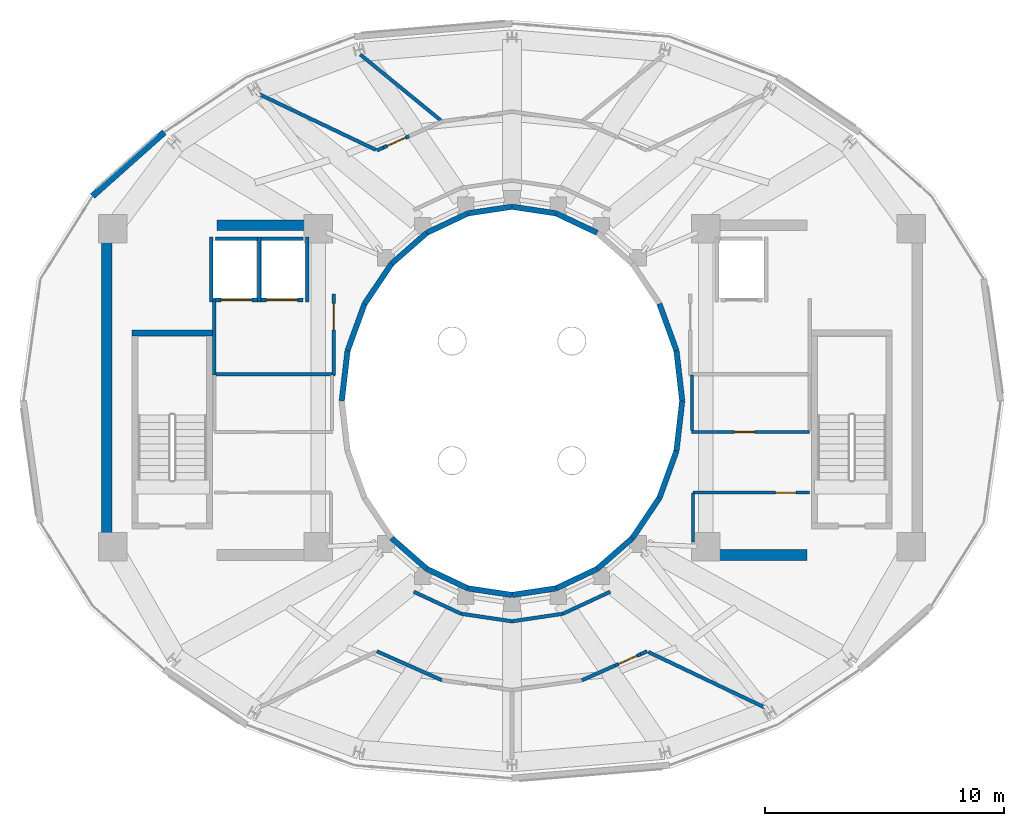
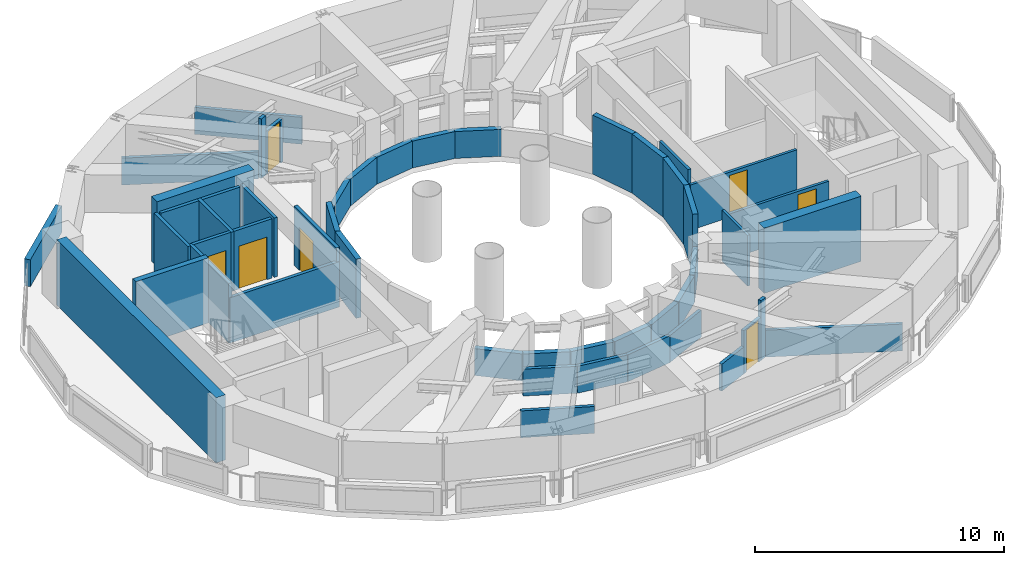
# One storey, part 13 of 17: 51 walls, 7 doors, 7 openings.
"""IFC4 building model written with IfcOpenShell, lengths in metres."""

from ifc_helpers import new_model, si_unit, direction, frame, frame_2d, origin, place, context, subcontext, project, spatial, rectangle, extrude, material, layer, layer_set, type_object, element, fill, save


model = new_model("IFC4")

# Units and contexts
model_context = context("Model", 3, precision=1e-05, world=origin(), true_north=direction((0.0, 1.0)))
body_context = subcontext(model_context, "Body", "Model", "MODEL_VIEW")
ifc_project = project(units=[si_unit("LENGTHUNIT", "METRE"), si_unit("AREAUNIT", "SQUARE_METRE"), si_unit("VOLUMEUNIT", "CUBIC_METRE"), si_unit("PLANEANGLEUNIT", "RADIAN"), si_unit("MASSUNIT", "GRAM", prefix="KILO")], contexts=[model_context])

# Site, building, storey
site_placement = place(None, origin())
site = spatial("IfcSite", under=ifc_project, at=site_placement, CompositionType="ELEMENT")
building_placement = place(site_placement, origin())
building = spatial("IfcBuilding", under=site, at=building_placement, Name="Solvane Sanctuary Tower", CompositionType="ELEMENT")
storey_placement = place(building_placement, frame((0.0, 0.0, 270.0)))
storey = spatial("IfcBuildingStorey", under=building, at=storey_placement, Name="L82", CompositionType="ELEMENT", Elevation=270.0)

# Walls
ifc_material_1 = material(Name="Concrete C50/60", Category="concrete")
ifc_layer_1 = layer(ifc_material_1, 0.449951171875, Name="Concrete C50/60")
ifc_layer_set_1 = layer_set([ifc_layer_1], Name="Concrete C50/60")
wall_type_1 = type_object("IfcWallType", Name="Wall W-CORE-450", PredefinedType="SHEAR", material=ifc_layer_set_1)
wall_1_placement = place(storey_placement, frame((15.050048828125, 17.050048828125, 0.0), z_axis=(0.0, 0.0, 1.0), x_axis=(0.0, 1.0, 0.0)))
element("IfcWall", 1, at=wall_1_placement, inside=storey, type_object=wall_type_1, Name="L82 Core Shear Wall WC-W", PredefinedType="SHEAR", context=body_context, shape_type="SweptSolid", body=[
    extrude(rectangle(XDim=12.800048828125, YDim=0.449951171875, at=frame_2d((6.39990234375, 0.0))), origin(), (0.0, 0.0, 1.0), 3.199951171875),
])
for number, where, z_axis, x_axis, name in (
    (2, (19.64990234375, 30.35009765625, 0.0), (0.0, 0.0, 1.0), (1.0, 0.0, 0.0), "L82 Core Shear Wall WC-N"),
    (3, (39.85009765625, 16.550048828125, 0.0), (0.0, 0.0, 1.0), (1.0, 0.0, 0.0), "L82 Core Shear Wall EC-S"),
):
    element("IfcWall", number, at=place(storey_placement, frame(where, z_axis=z_axis, x_axis=x_axis)), inside=storey, type_object=wall_type_1, Name=name, PredefinedType="SHEAR", context=body_context, shape_type="SweptSolid", body=[
        extrude(rectangle(XDim=4.5, YDim=0.449951171875, at=frame_2d((2.25, 0.0))), origin(), (0.0, 0.0, 1.0), 3.199951171875),
    ])
ifc_material_2 = material(Name="Acoustic Gypsum Partition Board")
ifc_layer_2 = layer(ifc_material_2, 0.14990234375, Name="Acoustic Gypsum Partition Board")
ifc_layer_set_2 = layer_set([ifc_layer_2], Name="Acoustic Gypsum Partition Board")
wall_type_2 = type_object("IfcWallType", Name="Wall W-CORR-150", PredefinedType="PARTITIONING", material=ifc_layer_set_2)
wall_2_placement = place(storey_placement, frame((19.52001953125, 24.1201171875, 0.0), z_axis=(0.0, 0.0, 1.0), x_axis=(1.0, 0.0, 0.0)))
element("IfcWall", 4, at=wall_2_placement, inside=storey, type_object=wall_type_2, Name="L82 West Firefighting Lobby South Wall", PredefinedType="PARTITIONING", context=body_context, shape_type="SweptSolid", body=[
    extrude(rectangle(XDim=5.080078125, YDim=0.14990234375, at=frame_2d((2.5400390625, 0.0))), origin(), (0.0, 0.0, 1.0), 2.219970703125),
])
wall_3_placement = place(storey_placement, frame((19.550048828125, 24.080078125, 0.0), z_axis=(0.0, 0.0, 1.0), x_axis=(0.0, 1.0, 0.0)))
element("IfcWall", 5, at=wall_3_placement, inside=storey, type_object=wall_type_2, Name="L82 West Firefighting Lobby West Wall", PredefinedType="PARTITIONING", context=body_context, shape_type="SweptSolid", body=[
    extrude(rectangle(XDim=3.199951171875, YDim=0.14990234375, at=frame_2d((1.60009765625, 0.0))), origin(), (0.0, 0.0, 1.0), 2.9150390625),
])

# Wall, opening, door
wall_4_placement = place(storey_placement, frame((24.550048828125, 24.080078125, 0.0), z_axis=(0.0, 0.0, 1.0), x_axis=(0.0, 1.0, 0.0)))
wall_4 = element("IfcWall", 6, at=wall_4_placement, inside=storey, type_object=wall_type_2, Name="L82 West Firefighting Lobby East Wall", PredefinedType="PARTITIONING", context=body_context, shape_type="SweptSolid", body=[
    extrude(rectangle(XDim=3.39990234375, YDim=0.14990234375, at=frame_2d((1.699951171875, 0.0))), origin(), (0.0, 0.0, 1.0), 2.9150390625),
])
opening_1_placement = place(wall_4_placement, frame((1.893798828125, 0.0, 0.0)))
opening_1 = element("IfcOpeningElement", 7, at=opening_1_placement, cuts=wall_4, Name="Opening D-L82-03", PredefinedType="OPENING", context=body_context, shape_type="SweptSolid", body=[
    extrude(rectangle(XDim=1.10009765625, YDim=2.10009765625, at=frame_2d((0.550048828125, 1.050048828125))), frame((0.0, 0.0849609375, 0.0), z_axis=(0.0, -1.0, 0.0), x_axis=(1.0, 0.0, 0.0)), (0.0, 0.0, 1.0), 0.169921875),
])
ifc_material_3 = material(Name="Architectural Stainless Steel 316", Category="steel")
door_type_1 = type_object("IfcDoorType", Name="Door D-FFL", OperationType="NOTDEFINED", PredefinedType="DOOR", material=ifc_material_3)
door_1_placement = place(opening_1_placement, origin())
door_1 = element("IfcDoor", 8, at=door_1_placement, inside=storey, type_object=door_type_1, Name="L82 West Firefighting Lobby Fire Door", OperationType="SINGLE_SWING_RIGHT", OverallHeight=2.10009765625, OverallWidth=1.10009765625, PredefinedType="DOOR", context=body_context, shape_type="SweptSolid", body=[
    extrude(rectangle(XDim=1.10009765625, YDim=2.10009765625, at=frame_2d((0.550048828125, 1.050048828125))), frame((0.0, 0.02490234375, 0.0), z_axis=(0.0, -1.0, 0.0), x_axis=(1.0, 0.0, 0.0)), (0.0, 0.0, 1.0), 0.050048828125),
])
fill(opening_1, door_1)

# Walls
wall_5_placement = place(storey_placement, frame((27.889892578125, 15.01513671875, 0.0), z_axis=(0.0, 0.0, 1.0), x_axis=(0.906943449489, -0.421252393975, 0.0)))
element("IfcWall", 9, at=wall_5_placement, inside=storey, type_object=wall_type_2, Name="L82 Light-Well Corridor Rim Wall S1", PredefinedType="PARTITIONING", context=body_context, shape_type="SweptSolid", body=[
    extrude(rectangle(XDim=2.18603515625, YDim=0.14990234375, at=frame_2d((1.093017578125, 0.0))), origin(), (0.0, 0.0, 1.0), 1.320068359375),
])
for number, where, z_axis, x_axis, name in (
    (10, (29.87255859375, 14.09423828125, 0.0), (0.0, 0.0, 1.0), (0.989268584896, -0.146108408166, 0.0), "L82 Light-Well Corridor Rim Wall S2"),
    (11, (32.0, 13.780029296875, 0.0), (0.0, 0.0, 1.0), (0.989268584896, 0.146108408166, 0.0), "L82 Light-Well Corridor Rim Wall S3"),
):
    element("IfcWall", number, at=place(storey_placement, frame(where, z_axis=z_axis, x_axis=x_axis)), inside=storey, type_object=wall_type_2, Name=name, PredefinedType="PARTITIONING", context=body_context, shape_type="SweptSolid", body=[
        extrude(rectangle(XDim=2.150634765625, YDim=0.14990234375, at=frame_2d((1.0751953125, 0.0))), origin(), (0.0, 0.0, 1.0), 1.320068359375),
    ])
wall_6_placement = place(storey_placement, frame((34.12744140625, 14.09423828125, 0.0), z_axis=(0.0, 0.0, 1.0), x_axis=(0.906943449489, 0.421252393975, 0.0)))
element("IfcWall", 12, at=wall_6_placement, inside=storey, type_object=wall_type_2, Name="L82 Light-Well Corridor Rim Wall S4", PredefinedType="PARTITIONING", context=body_context, shape_type="SweptSolid", body=[
    extrude(rectangle(XDim=2.18603515625, YDim=0.14990234375, at=frame_2d((1.093017578125, 0.0))), origin(), (0.0, 0.0, 1.0), 1.320068359375),
])
wall_7_placement = place(storey_placement, frame((29.03271484375, 34.722412109375, 0.0), z_axis=(0.0, 0.0, 1.0), x_axis=(-0.773855163252, 0.633362602549, 0.0)))
element("IfcWall", 13, at=wall_7_placement, inside=storey, type_object=wall_type_2, Name="L82 Mechanical Plant Radial Wall 105", PredefinedType="PARTITIONING", context=body_context, shape_type="SweptSolid", body=[
    extrude(rectangle(XDim=4.366943359375, YDim=0.14990234375, at=frame_2d((2.18359375, 0.0))), origin(), (0.0, 0.0, 1.0), 1.320068359375),
])
for number, where, z_axis, x_axis, name in (
    (14, (26.30029296875, 33.502685546875, 0.0), (0.0, 0.0, 1.0), (-0.902738701359, 0.430189303758, 0.0), "L82 Mechanical Plant Radial Wall 120"),
    (15, (37.69970703125, 12.497314453125, 0.0), (0.0, 0.0, 1.0), (0.902738701359, -0.430189303758, 0.0), "L82 Mechanical Plant Radial Wall 300"),
):
    element("IfcWall", number, at=place(storey_placement, frame(where, z_axis=z_axis, x_axis=x_axis)), inside=storey, type_object=wall_type_2, Name=name, PredefinedType="PARTITIONING", context=body_context, shape_type="SweptSolid", body=[
        extrude(rectangle(XDim=5.521484375, YDim=0.14990234375, at=frame_2d((2.7607421875, 0.0))), origin(), (0.0, 0.0, 1.0), 1.320068359375),
    ])

# Wall, opening, door
wall_8_placement = place(storey_placement, frame((27.693115234375, 34.073486328125, 0.0), z_axis=(0.0, 0.0, 1.0), x_axis=(-0.91409532601, -0.40549936494, 0.0)))
wall_8 = element("IfcWall", 16, at=wall_8_placement, inside=storey, type_object=wall_type_2, Name="L82 Plant Corridor Wall 3", PredefinedType="PARTITIONING", context=body_context, shape_type="SweptSolid", body=[
    extrude(rectangle(XDim=1.169921875, YDim=0.14990234375, at=frame_2d((0.5849609375, 0.0))), origin(), (0.0, 0.0, 1.0), 2.110107421875),
])
opening_2_placement = place(wall_8_placement, frame((0.159912109375, 0.0, 0.0)))
opening_2 = element("IfcOpeningElement", 17, at=opening_2_placement, cuts=wall_8, Name="Opening D-L82-11", PredefinedType="OPENING", context=body_context, shape_type="SweptSolid", body=[
    extrude(rectangle(XDim=0.85009765625, YDim=2.050048828125, at=frame_2d((0.425048828125, 1.02490234375))), frame((0.0, 0.0849609375, 0.0), z_axis=(0.0, -1.0, 0.0), x_axis=(1.0, 0.0, 0.0)), (0.0, 0.0, 1.0), 0.169921875),
])
door_type_2 = type_object("IfcDoorType", Name="Door D-RISER", OperationType="NOTDEFINED", PredefinedType="DOOR", material=ifc_material_3)
door_2_placement = place(opening_2_placement, origin())
door_2 = element("IfcDoor", 18, at=door_2_placement, inside=storey, type_object=door_type_2, Name="L82 Plant Room Door 3", OperationType="SINGLE_SWING_RIGHT", OverallHeight=2.050048828125, OverallWidth=0.85009765625, PredefinedType="DOOR", context=body_context, shape_type="SweptSolid", body=[
    extrude(rectangle(XDim=0.85009765625, YDim=2.050048828125, at=frame_2d((0.425048828125, 1.02490234375))), frame((0.0, 0.02490234375, 0.0), z_axis=(0.0, -1.0, 0.0), x_axis=(1.0, 0.0, 0.0)), (0.0, 0.0, 1.0), 0.050048828125),
])
fill(opening_2, door_2)

# Walls
wall_9_placement = place(storey_placement, frame((26.623779296875, 33.59912109375, 0.0), z_axis=(0.0, 0.0, 1.0), x_axis=(-0.914008261485, -0.405695572983, 0.0)))
element("IfcWall", 19, at=wall_9_placement, inside=storey, type_object=wall_type_2, Name="L82 Plant Corridor Wall 3", PredefinedType="PARTITIONING", context=body_context, shape_type="SweptSolid", body=[
    extrude(rectangle(XDim=0.306884765625, YDim=0.14990234375, at=frame_2d((0.1533203125, 0.0))), origin(), (0.0, 0.0, 1.0), 2.9150390625),
])
wall_10_placement = place(storey_placement, frame((26.34326171875, 12.525390625, 0.0), z_axis=(0.0, 0.0, 1.0), x_axis=(0.913989848226, -0.405737054432, 0.0)))
element("IfcWall", 20, at=wall_10_placement, inside=storey, type_object=wall_type_2, Name="L82 Plant Corridor Wall 4", PredefinedType="PARTITIONING", context=body_context, shape_type="SweptSolid", body=[
    extrude(rectangle(XDim=2.9912109375, YDim=0.14990234375, at=frame_2d((1.49560546875, 0.0))), origin(), (0.0, 0.0, 1.0), 1.320068359375),
])
wall_11_placement = place(storey_placement, frame((34.9228515625, 11.311767578125, 0.0), z_axis=(0.0, 0.0, 1.0), x_axis=(0.914037268574, 0.405630215416, 0.0)))
element("IfcWall", 21, at=wall_11_placement, inside=storey, type_object=wall_type_2, Name="L82 Plant Corridor Wall 5", PredefinedType="PARTITIONING", context=body_context, shape_type="SweptSolid", body=[
    extrude(rectangle(XDim=1.515625, YDim=0.14990234375, at=frame_2d((0.7578125, 0.0))), origin(), (0.0, 0.0, 1.0), 1.320068359375),
])

# Wall, opening, door
wall_12_placement = place(storey_placement, frame((36.30810546875, 11.926513671875, 0.0), z_axis=(0.0, 0.0, 1.0), x_axis=(0.913940571896, 0.405848039347, 0.0)))
wall_12 = element("IfcWall", 22, at=wall_12_placement, inside=storey, type_object=wall_type_2, Name="L82 Plant Corridor Wall 5", PredefinedType="PARTITIONING", context=body_context, shape_type="SweptSolid", body=[
    extrude(rectangle(XDim=1.169921875, YDim=0.14990234375, at=frame_2d((0.5849609375, 0.0))), origin(), (0.0, 0.0, 1.0), 2.110107421875),
])
opening_3_placement = place(wall_12_placement, frame((0.159912109375, 0.0, 0.0)))
opening_3 = element("IfcOpeningElement", 23, at=opening_3_placement, cuts=wall_12, Name="Opening D-L82-13", PredefinedType="OPENING", context=body_context, shape_type="SweptSolid", body=[
    extrude(rectangle(XDim=0.85009765625, YDim=2.050048828125, at=frame_2d((0.425048828125, 1.02490234375))), frame((0.0, 0.0849609375, 0.0), z_axis=(0.0, -1.0, 0.0), x_axis=(1.0, 0.0, 0.0)), (0.0, 0.0, 1.0), 0.169921875),
])
door_3_placement = place(opening_3_placement, origin())
door_3 = element("IfcDoor", 24, at=door_3_placement, inside=storey, type_object=door_type_2, Name="L82 Plant Room Door 5", OperationType="SINGLE_SWING_RIGHT", OverallHeight=2.050048828125, OverallWidth=0.85009765625, PredefinedType="DOOR", context=body_context, shape_type="SweptSolid", body=[
    extrude(rectangle(XDim=0.85009765625, YDim=2.050048828125, at=frame_2d((0.425048828125, 1.02490234375))), frame((0.0, 0.02490234375, 0.0), z_axis=(0.0, -1.0, 0.0), x_axis=(1.0, 0.0, 0.0)), (0.0, 0.0, 1.0), 0.050048828125),
])
fill(opening_3, door_3)

# Walls
wall_13_placement = place(storey_placement, frame((37.37744140625, 12.4013671875, 0.0), z_axis=(0.0, 0.0, 1.0), x_axis=(0.91394327808, 0.405841945161, 0.0)))
element("IfcWall", 25, at=wall_13_placement, inside=storey, type_object=wall_type_2, Name="L82 Plant Corridor Wall 5", PredefinedType="PARTITIONING", context=body_context, shape_type="SweptSolid", body=[
    extrude(rectangle(XDim=0.3056640625, YDim=0.14990234375, at=frame_2d((0.15283203125, 0.0))), origin(), (0.0, 0.0, 1.0), 2.9150390625),
])
ifc_material_4 = material(Name="Precast concrete C40/50", Category="concrete")
ifc_layer_3 = layer(ifc_material_4, 0.260009765625, Name="Precast concrete C40/50")
ifc_layer_set_3 = layer_set([ifc_layer_3], Name="Precast concrete C40/50")
wall_type_3 = type_object("IfcWallType", Name="Wall W-EXT-250", PredefinedType="STANDARD", material=ifc_layer_set_3)
wall_14_placement = place(storey_placement, frame((17.452880859375, 34.235595703125, 0.0), z_axis=(0.0, 0.0, 1.0), x_axis=(-0.747315206756, -0.664469699649, 0.0)))
element("IfcWall", 26, at=wall_14_placement, inside=storey, type_object=wall_type_3, Name="L82 Crown Acoustic Louvred Wall 09", PredefinedType="STANDARD", context=body_context, shape_type="SweptSolid", body=[
    extrude(rectangle(XDim=4.0078125, YDim=0.260009765625, at=frame_2d((2.00390625, 0.0))), origin(), (0.0, 0.0, 1.0), 1.320068359375),
])
ifc_layer_4 = layer(ifc_material_4, 0.22998046875, Name="Precast concrete C40/50")
ifc_layer_set_4 = layer_set([ifc_layer_4], Name="Precast concrete C40/50")
wall_type_4 = type_object("IfcWallType", Name="Wall W-EXT-SP220", PredefinedType="STANDARD", material=ifc_layer_set_4)
wall_15_placement = place(storey_placement, frame((39.1201171875, 23.0, 0.0), z_axis=(0.0, 0.0, 1.0), x_axis=(-0.114711713601, 0.993398823617, 0.0)))
element("IfcWall", 27, at=wall_15_placement, inside=storey, type_object=wall_type_4, Name="L82 Central Light-Well Wall 00", PredefinedType="STANDARD", context=body_context, shape_type="SweptSolid", body=[
    extrude(rectangle(XDim=2.115478515625, YDim=0.22998046875, at=frame_2d((1.0576171875, 0.0))), origin(), (0.0, 0.0, 1.0), 2.89990234375),
])
wall_16_placement = place(storey_placement, frame((38.87744140625, 25.1015625, 0.0), z_axis=(0.0, 0.0, 1.0), x_axis=(-0.341423187295, 0.93990968033, 0.0)))
element("IfcWall", 28, at=wall_16_placement, inside=storey, type_object=wall_type_4, Name="L82 Central Light-Well Wall 01", PredefinedType="STANDARD", context=body_context, shape_type="SweptSolid", body=[
    extrude(rectangle(XDim=2.083740234375, YDim=0.22998046875, at=frame_2d((1.0419921875, 0.0))), origin(), (0.0, 0.0, 1.0), 2.89990234375),
])
wall_17_placement = place(storey_placement, frame((35.56005859375, 30.031982421875, 0.0), z_axis=(0.0, 0.0, 1.0), x_axis=(-0.904179699603, 0.427152280606, 0.0)))
element("IfcWall", 29, at=wall_17_placement, inside=storey, type_object=wall_type_4, Name="L82 Central Light-Well Wall 04", PredefinedType="STANDARD", context=body_context, shape_type="SweptSolid", body=[
    extrude(rectangle(XDim=1.899169921875, YDim=0.22998046875, at=frame_2d((0.94970703125, 0.0))), origin(), (0.0, 0.0, 1.0), 1.320068359375),
])
for number, where, z_axis, x_axis, name in (
    (30, (33.8427734375, 30.84326171875, 0.0), (0.0, 0.0, 1.0), (-0.988901730308, 0.148571086668, 0.0), "L82 Central Light-Well Wall 05"),
    (31, (32.0, 31.1201171875, 0.0), (0.0, 0.0, 1.0), (-0.988901730308, -0.148571086668, 0.0), "L82 Central Light-Well Wall 06"),
):
    element("IfcWall", number, at=place(storey_placement, frame(where, z_axis=z_axis, x_axis=x_axis)), inside=storey, type_object=wall_type_4, Name=name, PredefinedType="STANDARD", context=body_context, shape_type="SweptSolid", body=[
        extrude(rectangle(XDim=1.863525390625, YDim=0.22998046875, at=frame_2d((0.931640625, 0.0))), origin(), (0.0, 0.0, 1.0), 1.320068359375),
    ])
wall_18_placement = place(storey_placement, frame((30.1572265625, 30.84326171875, 0.0), z_axis=(0.0, 0.0, 1.0), x_axis=(-0.904179699603, -0.427152280606, 0.0)))
element("IfcWall", 32, at=wall_18_placement, inside=storey, type_object=wall_type_4, Name="L82 Central Light-Well Wall 07", PredefinedType="STANDARD", context=body_context, shape_type="SweptSolid", body=[
    extrude(rectangle(XDim=1.899169921875, YDim=0.22998046875, at=frame_2d((0.94970703125, 0.0))), origin(), (0.0, 0.0, 1.0), 1.320068359375),
])
wall_19_placement = place(storey_placement, frame((28.43994140625, 30.031982421875, 0.0), z_axis=(0.0, 0.0, 1.0), x_axis=(-0.752576694707, -0.658504607869, 0.0)))
element("IfcWall", 33, at=wall_19_placement, inside=storey, type_object=wall_type_4, Name="L82 Central Light-Well Wall 08", PredefinedType="STANDARD", context=body_context, shape_type="SweptSolid", body=[
    extrude(rectangle(XDim=1.95947265625, YDim=0.22998046875, at=frame_2d((0.979736328125, 0.0))), origin(), (0.0, 0.0, 1.0), 1.320068359375),
])
wall_20_placement = place(storey_placement, frame((26.96533203125, 28.74169921875, 0.0), z_axis=(0.0, 0.0, 1.0), x_axis=(-0.558197800898, -0.829707909492, 0.0)))
element("IfcWall", 34, at=wall_20_placement, inside=storey, type_object=wall_type_4, Name="L82 Central Light-Well Wall 09", PredefinedType="STANDARD", context=body_context, shape_type="SweptSolid", body=[
    extrude(rectangle(XDim=2.02685546875, YDim=0.22998046875, at=frame_2d((1.013427734375, 0.0))), origin(), (0.0, 0.0, 1.0), 1.320068359375),
])
wall_21_placement = place(storey_placement, frame((25.833984375, 27.06005859375, 0.0), z_axis=(0.0, 0.0, 1.0), x_axis=(-0.341423187295, -0.93990968033, 0.0)))
element("IfcWall", 35, at=wall_21_placement, inside=storey, type_object=wall_type_4, Name="L82 Central Light-Well Wall 10", PredefinedType="STANDARD", context=body_context, shape_type="SweptSolid", body=[
    extrude(rectangle(XDim=2.083740234375, YDim=0.22998046875, at=frame_2d((1.0419921875, 0.0))), origin(), (0.0, 0.0, 1.0), 2.89990234375),
])
wall_22_placement = place(storey_placement, frame((25.12255859375, 25.1015625, 0.0), z_axis=(0.0, 0.0, 1.0), x_axis=(-0.114711713601, -0.993398823617, 0.0)))
element("IfcWall", 36, at=wall_22_placement, inside=storey, type_object=wall_type_4, Name="L82 Central Light-Well Wall 11", PredefinedType="STANDARD", context=body_context, shape_type="SweptSolid", body=[
    extrude(rectangle(XDim=2.115478515625, YDim=0.22998046875, at=frame_2d((1.0576171875, 0.0))), origin(), (0.0, 0.0, 1.0), 2.89990234375),
])
wall_23_placement = place(storey_placement, frame((26.96533203125, 17.25830078125, 0.0), z_axis=(0.0, 0.0, 1.0), x_axis=(0.752576694707, -0.658504607869, 0.0)))
element("IfcWall", 37, at=wall_23_placement, inside=storey, type_object=wall_type_4, Name="L82 Central Light-Well Wall 15", PredefinedType="STANDARD", context=body_context, shape_type="SweptSolid", body=[
    extrude(rectangle(XDim=1.95947265625, YDim=0.22998046875, at=frame_2d((0.979736328125, 0.0))), origin(), (0.0, 0.0, 1.0), 1.320068359375),
])
wall_24_placement = place(storey_placement, frame((28.43994140625, 15.968017578125, 0.0), z_axis=(0.0, 0.0, 1.0), x_axis=(0.904179699603, -0.427152280606, 0.0)))
element("IfcWall", 38, at=wall_24_placement, inside=storey, type_object=wall_type_4, Name="L82 Central Light-Well Wall 16", PredefinedType="STANDARD", context=body_context, shape_type="SweptSolid", body=[
    extrude(rectangle(XDim=1.899169921875, YDim=0.22998046875, at=frame_2d((0.94970703125, 0.0))), origin(), (0.0, 0.0, 1.0), 1.320068359375),
])
for number, where, z_axis, x_axis, name in (
    (39, (30.1572265625, 15.15673828125, 0.0), (0.0, 0.0, 1.0), (0.988901730308, -0.148571086668, 0.0), "L82 Central Light-Well Wall 17"),
    (40, (32.0, 14.8798828125, 0.0), (0.0, 0.0, 1.0), (0.988901730308, 0.148571086668, 0.0), "L82 Central Light-Well Wall 18"),
):
    element("IfcWall", number, at=place(storey_placement, frame(where, z_axis=z_axis, x_axis=x_axis)), inside=storey, type_object=wall_type_4, Name=name, PredefinedType="STANDARD", context=body_context, shape_type="SweptSolid", body=[
        extrude(rectangle(XDim=1.863525390625, YDim=0.22998046875, at=frame_2d((0.931640625, 0.0))), origin(), (0.0, 0.0, 1.0), 1.320068359375),
    ])
wall_25_placement = place(storey_placement, frame((33.8427734375, 15.15673828125, 0.0), z_axis=(0.0, 0.0, 1.0), x_axis=(0.904179699603, 0.427152280606, 0.0)))
element("IfcWall", 41, at=wall_25_placement, inside=storey, type_object=wall_type_4, Name="L82 Central Light-Well Wall 19", PredefinedType="STANDARD", context=body_context, shape_type="SweptSolid", body=[
    extrude(rectangle(XDim=1.899169921875, YDim=0.22998046875, at=frame_2d((0.94970703125, 0.0))), origin(), (0.0, 0.0, 1.0), 1.320068359375),
])
wall_26_placement = place(storey_placement, frame((35.56005859375, 15.968017578125, 0.0), z_axis=(0.0, 0.0, 1.0), x_axis=(0.752576694707, 0.658504607869, 0.0)))
element("IfcWall", 42, at=wall_26_placement, inside=storey, type_object=wall_type_4, Name="L82 Central Light-Well Wall 20", PredefinedType="STANDARD", context=body_context, shape_type="SweptSolid", body=[
    extrude(rectangle(XDim=1.95947265625, YDim=0.22998046875, at=frame_2d((0.979736328125, 0.0))), origin(), (0.0, 0.0, 1.0), 1.320068359375),
])
wall_27_placement = place(storey_placement, frame((37.03466796875, 17.25830078125, 0.0), z_axis=(0.0, 0.0, 1.0), x_axis=(0.558197800898, 0.829707909492, 0.0)))
element("IfcWall", 43, at=wall_27_placement, inside=storey, type_object=wall_type_4, Name="L82 Central Light-Well Wall 21", PredefinedType="STANDARD", context=body_context, shape_type="SweptSolid", body=[
    extrude(rectangle(XDim=2.02685546875, YDim=0.22998046875, at=frame_2d((1.013427734375, 0.0))), origin(), (0.0, 0.0, 1.0), 1.320068359375),
])
wall_28_placement = place(storey_placement, frame((38.166015625, 18.93994140625, 0.0), z_axis=(0.0, 0.0, 1.0), x_axis=(0.341423187295, 0.93990968033, 0.0)))
element("IfcWall", 44, at=wall_28_placement, inside=storey, type_object=wall_type_4, Name="L82 Central Light-Well Wall 22", PredefinedType="STANDARD", context=body_context, shape_type="SweptSolid", body=[
    extrude(rectangle(XDim=2.083740234375, YDim=0.22998046875, at=frame_2d((1.0419921875, 0.0))), origin(), (0.0, 0.0, 1.0), 2.89990234375),
])
wall_29_placement = place(storey_placement, frame((38.87744140625, 20.8984375, 0.0), z_axis=(0.0, 0.0, 1.0), x_axis=(0.114711713601, 0.993398823617, 0.0)))
element("IfcWall", 45, at=wall_29_placement, inside=storey, type_object=wall_type_4, Name="L82 Central Light-Well Wall 23", PredefinedType="STANDARD", context=body_context, shape_type="SweptSolid", body=[
    extrude(rectangle(XDim=2.115478515625, YDim=0.22998046875, at=frame_2d((1.0576171875, 0.0))), origin(), (0.0, 0.0, 1.0), 2.89990234375),
])

# Wall, opening, door
ifc_layer_5 = layer(ifc_material_2, 0.125, Name="Acoustic Gypsum Partition Board")
ifc_layer_set_5 = layer_set([ifc_layer_5], Name="Acoustic Gypsum Partition Board")
wall_type_5 = type_object("IfcWallType", Name="Wall W-PART-125", PredefinedType="PARTITIONING", material=ifc_layer_set_5)
wall_30_placement = place(storey_placement, frame((39.580078125, 19.159912109375, 0.0), z_axis=(0.0, 0.0, 1.0), x_axis=(1.0, 0.0, 0.0)))
wall_30 = element("IfcWall", 46, at=wall_30_placement, inside=storey, type_object=wall_type_5, Name="L82 Reclaimed Room Partition PLE", PredefinedType="PARTITIONING", context=body_context, shape_type="SweptSolid", body=[
    extrude(rectangle(XDim=4.869873046875, YDim=0.125, at=frame_2d((2.43505859375, 0.0))), origin(), (0.0, 0.0, 1.0), 2.219970703125),
])
opening_4_placement = place(wall_30_placement, frame((3.449951171875, 0.0, 0.0)))
opening_4 = element("IfcOpeningElement", 47, at=opening_4_placement, cuts=wall_30, Name="Opening D-L82-06", PredefinedType="OPENING", context=body_context, shape_type="SweptSolid", body=[
    extrude(rectangle(XDim=0.85009765625, YDim=2.050048828125, at=frame_2d((0.425048828125, 1.02490234375))), frame((0.0, 0.072509765625, 0.0), z_axis=(0.0, -1.0, 0.0), x_axis=(1.0, 0.0, 0.0)), (0.0, 0.0, 1.0), 0.14501953125),
])
door_4_placement = place(opening_4_placement, origin())
door_4 = element("IfcDoor", 48, at=door_4_placement, inside=storey, type_object=door_type_2, Name="L82 Reclaimed Room Door PLE-1", OperationType="SINGLE_SWING_LEFT", OverallHeight=2.050048828125, OverallWidth=0.85009765625, PredefinedType="DOOR", context=body_context, shape_type="SweptSolid", body=[
    extrude(rectangle(XDim=0.85009765625, YDim=2.050048828125, at=frame_2d((0.425048828125, 1.02490234375))), frame((0.0, 0.02490234375, 0.0), z_axis=(0.0, -1.0, 0.0), x_axis=(1.0, 0.0, 0.0)), (0.0, 0.0, 1.0), 0.050048828125),
])
fill(opening_4, door_4)

# Wall
wall_31_placement = place(storey_placement, frame((39.580078125, 17.10009765625, 0.0), z_axis=(0.0, 0.0, 1.0), x_axis=(0.0, 1.0, 0.0)))
element("IfcWall", 49, at=wall_31_placement, inside=storey, type_object=wall_type_5, Name="L82 Reclaimed Room Closer Wall PLE-1", PredefinedType="PARTITIONING", context=body_context, shape_type="SweptSolid", body=[
    extrude(rectangle(XDim=2.039794921875, YDim=0.125, at=frame_2d((1.02001953125, 0.0))), origin(), (0.0, 0.0, 1.0), 2.490966796875),
])

# Wall, opening, door
wall_32_placement = place(storey_placement, frame((39.5, 21.699951171875, 0.0), z_axis=(0.0, 0.0, 1.0), x_axis=(1.0, 0.0, 0.0)))
wall_32 = element("IfcWall", 50, at=wall_32_placement, inside=storey, type_object=wall_type_5, Name="L82 Reclaimed Room Partition PME", PredefinedType="PARTITIONING", context=body_context, shape_type="SweptSolid", body=[
    extrude(rectangle(XDim=4.949951171875, YDim=0.125, at=frame_2d((2.47509765625, 0.0))), origin(), (0.0, 0.0, 1.0), 2.219970703125),
])
opening_5_placement = place(wall_32_placement, frame((1.800048828125, 0.0, 0.0)))
opening_5 = element("IfcOpeningElement", 51, at=opening_5_placement, cuts=wall_32, Name="Opening D-L82-08", PredefinedType="OPENING", context=body_context, shape_type="SweptSolid", body=[
    extrude(rectangle(XDim=0.85009765625, YDim=2.050048828125, at=frame_2d((0.425048828125, 1.02490234375))), frame((0.0, 0.072509765625, 0.0), z_axis=(0.0, -1.0, 0.0), x_axis=(1.0, 0.0, 0.0)), (0.0, 0.0, 1.0), 0.14501953125),
])
door_5_placement = place(opening_5_placement, origin())
door_5 = element("IfcDoor", 52, at=door_5_placement, inside=storey, type_object=door_type_2, Name="L82 Reclaimed Room Door PME-1", OperationType="SINGLE_SWING_LEFT", OverallHeight=2.050048828125, OverallWidth=0.85009765625, PredefinedType="DOOR", context=body_context, shape_type="SweptSolid", body=[
    extrude(rectangle(XDim=0.85009765625, YDim=2.050048828125, at=frame_2d((0.425048828125, 1.02490234375))), frame((0.0, 0.02490234375, 0.0), z_axis=(0.0, -1.0, 0.0), x_axis=(1.0, 0.0, 0.0)), (0.0, 0.0, 1.0), 0.050048828125),
])
fill(opening_5, door_5)

# Wall
wall_33_placement = place(storey_placement, frame((39.52001953125, 21.760009765625, 0.0), z_axis=(0.0, 0.0, 1.0), x_axis=(0.0, 1.0, 0.0)))
element("IfcWall", 53, at=wall_33_placement, inside=storey, type_object=wall_type_5, Name="L82 Reclaimed Room Closer Wall PME-1", PredefinedType="PARTITIONING", context=body_context, shape_type="SweptSolid", body=[
    extrude(rectangle(XDim=2.320068359375, YDim=0.125, at=frame_2d((1.16015625, 0.0))), origin(), (0.0, 0.0, 1.0), 2.9150390625),
])

# Wall, opening, door
ifc_layer_6 = layer(ifc_material_1, 0.14990234375, Name="Concrete C50/60")
ifc_layer_set_6 = layer_set([ifc_layer_6], Name="Concrete C50/60")
wall_type_6 = type_object("IfcWallType", Name="Wall W-SHAFT-150", PredefinedType="SOLIDWALL", material=ifc_layer_set_6)
wall_34_placement = place(storey_placement, frame((19.590087890625, 27.219970703125, 0.0), z_axis=(0.0, 0.0, 1.0), x_axis=(1.0, 0.0, 0.0)))
wall_34 = element("IfcWall", 54, at=wall_34_placement, inside=storey, type_object=wall_type_6, Name="L82 FFL-1 Lift Shaft Wall F", PredefinedType="SOLIDWALL", context=body_context, shape_type="SweptSolid", body=[
    extrude(rectangle(XDim=1.760009765625, YDim=0.14990234375, at=frame_2d((0.8798828125, 0.0))), origin(), (0.0, 0.0, 1.0), 2.9150390625),
])
opening_6_placement = place(wall_34_placement, frame((0.22998046875, 0.0, 0.0)))
opening_6 = element("IfcOpeningElement", 55, at=opening_6_placement, cuts=wall_34, Name="Opening LD-L82-01", PredefinedType="OPENING", context=body_context, shape_type="SweptSolid", body=[
    extrude(rectangle(XDim=1.300048828125, YDim=2.10009765625, at=frame_2d((0.64990234375, 1.050048828125))), frame((0.0, 0.0849609375, 0.0), z_axis=(0.0, -1.0, 0.0), x_axis=(1.0, 0.0, 0.0)), (0.0, 0.0, 1.0), 0.169921875),
])
door_type_3 = type_object("IfcDoorType", Name="Door LD-FFL-1300", OperationType="NOTDEFINED", PredefinedType="DOOR", material=ifc_material_3)
door_6_placement = place(opening_6_placement, origin())
door_6 = element("IfcDoor", 56, at=door_6_placement, inside=storey, type_object=door_type_3, Name="L82 FFL-1 Lift Landing Door", OperationType="DOUBLE_DOOR_SLIDING", OverallHeight=2.10009765625, OverallWidth=1.300048828125, PredefinedType="DOOR", context=body_context, shape_type="SweptSolid", body=[
    extrude(rectangle(XDim=1.300048828125, YDim=2.10009765625, at=frame_2d((0.64990234375, 1.050048828125))), frame((0.0, 0.02490234375, 0.0), z_axis=(0.0, -1.0, 0.0), x_axis=(1.0, 0.0, 0.0)), (0.0, 0.0, 1.0), 0.050048828125),
])
fill(opening_6, door_6)

# Walls
wall_35_placement = place(storey_placement, frame((19.590087890625, 29.780029296875, 0.0), z_axis=(0.0, 0.0, 1.0), x_axis=(1.0, 0.0, 0.0)))
element("IfcWall", 57, at=wall_35_placement, inside=storey, type_object=wall_type_6, Name="L82 FFL-1 Lift Shaft Wall B", PredefinedType="SOLIDWALL", context=body_context, shape_type="SweptSolid", body=[
    extrude(rectangle(XDim=1.760009765625, YDim=0.14990234375, at=frame_2d((0.8798828125, 0.0))), origin(), (0.0, 0.0, 1.0), 2.9150390625),
])
for number, where, z_axis, x_axis, name in (
    (58, (19.419921875, 27.139892578125, 0.0), (0.0, 0.0, 1.0), (0.0, 1.0, 0.0), "L82 FFL-1 Lift Shaft Wall S1"),
    (59, (21.425048828125, 27.139892578125, 0.0), (0.0, 0.0, 1.0), (0.0, 1.0, 0.0), "L82 FFL-1 Lift Shaft Wall S2"),
):
    element("IfcWall", number, at=place(storey_placement, frame(where, z_axis=z_axis, x_axis=x_axis)), inside=storey, type_object=wall_type_6, Name=name, PredefinedType="SOLIDWALL", context=body_context, shape_type="SweptSolid", body=[
        extrude(rectangle(XDim=2.72021484375, YDim=0.14990234375, at=frame_2d((1.360107421875, 0.0))), origin(), (0.0, 0.0, 1.0), 2.9150390625),
    ])

# Wall, opening, door
wall_36_placement = place(storey_placement, frame((21.5, 27.219970703125, 0.0), z_axis=(0.0, 0.0, 1.0), x_axis=(1.0, 0.0, 0.0)))
wall_36 = element("IfcWall", 60, at=wall_36_placement, inside=storey, type_object=wall_type_6, Name="L82 SVL-1 Lift Shaft Wall F", PredefinedType="SOLIDWALL", context=body_context, shape_type="SweptSolid", body=[
    extrude(rectangle(XDim=1.760009765625, YDim=0.14990234375, at=frame_2d((0.8798828125, 0.0))), origin(), (0.0, 0.0, 1.0), 2.9150390625),
])
opening_7_placement = place(wall_36_placement, frame((0.22998046875, 0.0, 0.0)))
opening_7 = element("IfcOpeningElement", 61, at=opening_7_placement, cuts=wall_36, Name="Opening LD-L82-02", PredefinedType="OPENING", context=body_context, shape_type="SweptSolid", body=[
    extrude(rectangle(XDim=1.300048828125, YDim=2.10009765625, at=frame_2d((0.64990234375, 1.050048828125))), frame((0.0, 0.0849609375, 0.0), z_axis=(0.0, -1.0, 0.0), x_axis=(1.0, 0.0, 0.0)), (0.0, 0.0, 1.0), 0.169921875),
])
door_7_placement = place(opening_7_placement, origin())
door_7 = element("IfcDoor", 62, at=door_7_placement, inside=storey, type_object=door_type_3, Name="L82 SVL-1 Lift Landing Door", OperationType="DOUBLE_DOOR_SLIDING", OverallHeight=2.10009765625, OverallWidth=1.300048828125, PredefinedType="DOOR", context=body_context, shape_type="SweptSolid", body=[
    extrude(rectangle(XDim=1.300048828125, YDim=2.10009765625, at=frame_2d((0.64990234375, 1.050048828125))), frame((0.0, 0.02490234375, 0.0), z_axis=(0.0, -1.0, 0.0), x_axis=(1.0, 0.0, 0.0)), (0.0, 0.0, 1.0), 0.050048828125),
])
fill(opening_7, door_7)

# Walls
wall_37_placement = place(storey_placement, frame((21.5, 29.780029296875, 0.0), z_axis=(0.0, 0.0, 1.0), x_axis=(1.0, 0.0, 0.0)))
element("IfcWall", 63, at=wall_37_placement, inside=storey, type_object=wall_type_6, Name="L82 SVL-1 Lift Shaft Wall B", PredefinedType="SOLIDWALL", context=body_context, shape_type="SweptSolid", body=[
    extrude(rectangle(XDim=1.760009765625, YDim=0.14990234375, at=frame_2d((0.8798828125, 0.0))), origin(), (0.0, 0.0, 1.0), 2.9150390625),
])
wall_38_placement = place(storey_placement, frame((23.429931640625, 27.139892578125, 0.0), z_axis=(0.0, 0.0, 1.0), x_axis=(0.0, 1.0, 0.0)))
element("IfcWall", 64, at=wall_38_placement, inside=storey, type_object=wall_type_6, Name="L82 SVL-1 Lift Shaft Wall S2", PredefinedType="SOLIDWALL", context=body_context, shape_type="SweptSolid", body=[
    extrude(rectangle(XDim=2.72021484375, YDim=0.14990234375, at=frame_2d((1.360107421875, 0.0))), origin(), (0.0, 0.0, 1.0), 2.9150390625),
])
ifc_layer_7 = layer(ifc_material_1, 0.25, Name="Concrete C50/60")
ifc_layer_set_7 = layer_set([ifc_layer_7], Name="Concrete C50/60")
wall_type_7 = type_object("IfcWallType", Name="Wall W-SHAFT-250", PredefinedType="SOLIDWALL", material=ifc_layer_set_7)
wall_39_placement = place(storey_placement, frame((16.10498046875, 25.830078125, 0.0), z_axis=(0.0, 0.0, 1.0), x_axis=(1.0, 0.0, 0.0)))
element("IfcWall", 65, at=wall_39_placement, inside=storey, type_object=wall_type_7, Name="L82 ST-1 Load-Bearing Shaft Wall N", PredefinedType="SOLIDWALL", context=body_context, shape_type="SweptSolid", body=[
    extrude(rectangle(XDim=3.3701171875, YDim=0.25, at=frame_2d((1.68505859375, 0.0))), origin(), (0.0, 0.0, 1.0), 3.199951171875),
])

save(model, "model.ifc")
